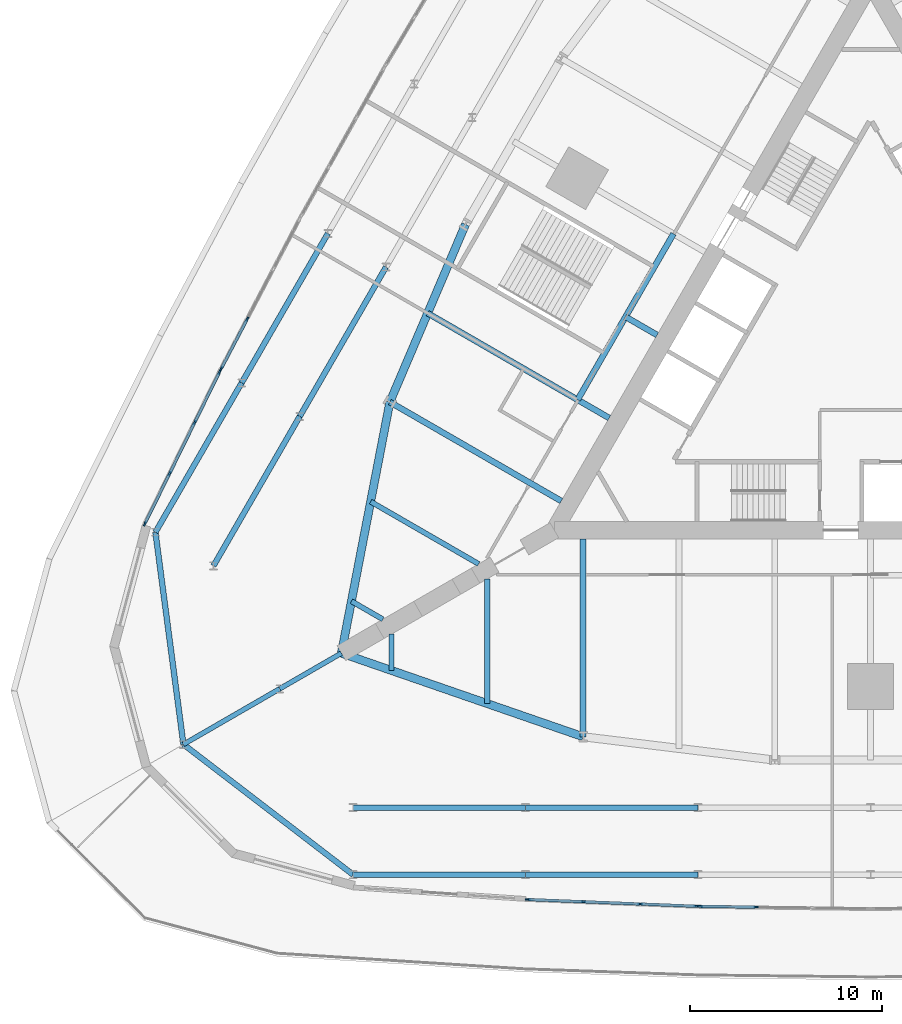
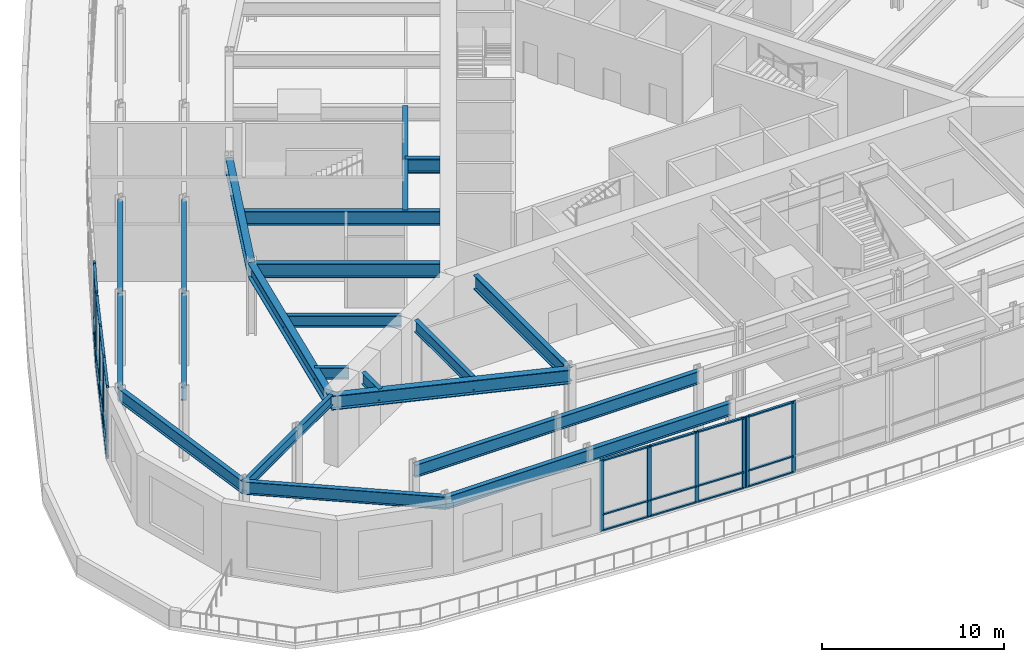
# One storey, part 3 of 20: 36 members, 24 beams, 4 elements without a shape of their own.
"""IFC4 building model written with IfcOpenShell, lengths in metres."""

from ifc_helpers import new_model, si_unit, direction, frame, origin, origin_2d, place, context, subcontext, project, spatial, rectangle, i_section, extrude, material, material_profile, profile_set, type_object, element, aggregate, save


model = new_model("IFC4")

# Units and contexts
model_context = context("Model", 3, precision=1e-05, world=origin(), true_north=direction((0.0, 1.0)))
body_context = subcontext(model_context, "Body", "Model", "MODEL_VIEW")
ifc_project = project(units=[si_unit("LENGTHUNIT", "METRE"), si_unit("AREAUNIT", "SQUARE_METRE"), si_unit("VOLUMEUNIT", "CUBIC_METRE"), si_unit("PLANEANGLEUNIT", "RADIAN"), si_unit("MASSUNIT", "GRAM", prefix="KILO")], contexts=[model_context])

# Site, building, storey
site_placement = place(None, origin())
site = spatial("IfcSite", under=ifc_project, at=site_placement, CompositionType="ELEMENT")
building_placement = place(site_placement, origin())
building = spatial("IfcBuilding", under=site, at=building_placement, Name="Trikona Tower", CompositionType="ELEMENT")
storey_placement = place(building_placement, frame((0.0, 0.0, 6.0)))
storey = spatial("IfcBuildingStorey", under=building, at=storey_placement, Name="L01", CompositionType="ELEMENT", Elevation=6.0)

# Curtain wall, members
ifc_material_1 = material(Name="Aluminium curtain wall system", Category="aluminium")
curtain_wall_type = type_object("IfcCurtainWallType", Name="Curtain wall PD", PredefinedType="NOTDEFINED", material=ifc_material_1)
curtain_wall_1_placement = place(storey_placement, origin())
curtain_wall_1 = element("IfcCurtainWall", 1, at=curtain_wall_1_placement, inside=storey, type_object=curtain_wall_type, Name="Curtain wall PD L01", PredefinedType="NOTDEFINED")
ifc_material_2 = material(Name="Aluminium mullion, pale anodised", Category="aluminium")
ifc_material_profile_1 = material_profile(ifc_material_2, rectangle(XDim=0.090087890625, YDim=0.25, at=origin_2d()), Name="MUL-PD")
ifc_profile_set_1 = profile_set([ifc_material_profile_1], Name="Aluminium mullion, pale anodised")
member_type_1 = type_object("IfcMemberType", Name="Mullion PD 90x250", PredefinedType="MULLION", material=ifc_profile_set_1)
member_1_placement = place(storey_placement, frame((-17.89111328125, -28.79443359375, 0.0), z_axis=(0.0, 0.0, 1.0), x_axis=(0.039967588978, 0.999200976697, 0.0)))
member_1 = element("IfcMember", 2, at=member_1_placement, type_object=member_type_1, Name="CW-PD mullion 1", PredefinedType="MULLION", context=body_context, shape_type="SweptSolid", body=[
    extrude(rectangle(XDim=0.090087890625, YDim=0.25, at=origin_2d()), origin(), (0.0, 0.0, 1.0), 4.75),
])
member_2_placement = place(storey_placement, frame((-14.97607421875, -28.9111328125, 0.0), z_axis=(0.0, 0.0, 1.0), x_axis=(0.039967588978, 0.999200976697, 0.0)))
member_2 = element("IfcMember", 3, at=member_2_placement, type_object=member_type_1, Name="CW-PD mullion 2", PredefinedType="MULLION", context=body_context, shape_type="SweptSolid", body=[
    extrude(rectangle(XDim=0.090087890625, YDim=0.25, at=origin_2d()), origin(), (0.0, 0.0, 1.0), 4.75),
])
member_3_placement = place(storey_placement, frame((-12.01611328125, -29.029541015625, 0.0), z_axis=(0.0, 0.0, 1.0), x_axis=(0.039967588978, 0.999200976697, 0.0)))
member_3 = element("IfcMember", 4, at=member_3_placement, type_object=member_type_1, Name="CW-PD mullion 3", PredefinedType="MULLION", context=body_context, shape_type="SweptSolid", body=[
    extrude(rectangle(XDim=0.090087890625, YDim=0.25, at=origin_2d()), origin(), (0.0, 0.0, 1.0), 4.75),
])
member_4_placement = place(storey_placement, frame((-9.10107421875, -29.14599609375, 0.0), z_axis=(0.0, 0.0, 1.0), x_axis=(0.039967588978, 0.999200976697, 0.0)))
member_4 = element("IfcMember", 5, at=member_4_placement, type_object=member_type_1, Name="CW-PD mullion 4", PredefinedType="MULLION", context=body_context, shape_type="SweptSolid", body=[
    extrude(rectangle(XDim=0.090087890625, YDim=0.25, at=origin_2d()), origin(), (0.0, 0.0, 1.0), 4.75),
])

curtain_wall_2_placement = place(storey_placement, origin())
curtain_wall_2 = element("IfcCurtainWall", 6, at=curtain_wall_2_placement, inside=storey, type_object=curtain_wall_type, Name="Curtain wall PD L01", PredefinedType="NOTDEFINED")
member_5_placement = place(storey_placement, frame((-8.893798828125, -29.151611328125, 0.0), z_axis=(0.0, 0.0, 1.0), x_axis=(0.013332148307, 0.999911122961, 0.0)))
member_5 = element("IfcMember", 7, at=member_5_placement, type_object=member_type_1, Name="CW-PD mullion 1", PredefinedType="MULLION", context=body_context, shape_type="SweptSolid", body=[
    extrude(rectangle(XDim=0.090087890625, YDim=0.25, at=origin_2d()), origin(), (0.0, 0.0, 1.0), 4.75),
])
member_6_placement = place(storey_placement, frame((-5.978759765625, -29.1904296875, 0.0), z_axis=(0.0, 0.0, 1.0), x_axis=(0.013332148307, 0.999911122961, 0.0)))
member_6 = element("IfcMember", 8, at=member_6_placement, type_object=member_type_1, Name="CW-PD mullion 2", PredefinedType="MULLION", context=body_context, shape_type="SweptSolid", body=[
    extrude(rectangle(XDim=0.090087890625, YDim=0.25, at=origin_2d()), origin(), (0.0, 0.0, 1.0), 4.75),
])

curtain_wall_3_placement = place(storey_placement, origin())
curtain_wall_3 = element("IfcCurtainWall", 9, at=curtain_wall_3_placement, inside=storey, type_object=curtain_wall_type, Name="Curtain wall PD L01", PredefinedType="NOTDEFINED")
member_7_placement = place(storey_placement, frame((-32.525634765625, 1.48583984375, 0.0), z_axis=(0.0, 0.0, 1.0), x_axis=(0.88532159647, -0.464979215476, 0.0)))
member_7 = element("IfcMember", 10, at=member_7_placement, type_object=member_type_1, Name="CW-PD mullion 3", PredefinedType="MULLION", context=body_context, shape_type="SweptSolid", body=[
    extrude(rectangle(XDim=0.090087890625, YDim=0.25, at=origin_2d()), origin(), (0.0, 0.0, 1.0), 4.75),
])
member_8_placement = place(storey_placement, frame((-33.88232421875, -1.096923828125, 0.0), z_axis=(0.0, 0.0, 1.0), x_axis=(0.88532159647, -0.464979215476, 0.0)))
member_8 = element("IfcMember", 11, at=member_8_placement, type_object=member_type_1, Name="CW-PD mullion 4", PredefinedType="MULLION", context=body_context, shape_type="SweptSolid", body=[
    extrude(rectangle(XDim=0.090087890625, YDim=0.25, at=origin_2d()), origin(), (0.0, 0.0, 1.0), 4.75),
])

curtain_wall_4_placement = place(storey_placement, origin())
curtain_wall_4 = element("IfcCurtainWall", 12, at=curtain_wall_4_placement, inside=storey, type_object=curtain_wall_type, Name="Curtain wall PD L01", PredefinedType="NOTDEFINED")
member_9_placement = place(storey_placement, frame((-33.97607421875, -1.28173828125, 0.0), z_axis=(0.0, 0.0, 1.0), x_axis=(0.897362731155, -0.44129369895, 0.0)))
member_9 = element("IfcMember", 13, at=member_9_placement, type_object=member_type_1, Name="CW-PD mullion 1", PredefinedType="MULLION", context=body_context, shape_type="SweptSolid", body=[
    extrude(rectangle(XDim=0.090087890625, YDim=0.25, at=origin_2d()), origin(), (0.0, 0.0, 1.0), 4.75),
])
member_10_placement = place(storey_placement, frame((-35.265380859375, -3.903564453125, 0.0), z_axis=(0.0, 0.0, 1.0), x_axis=(0.897362731155, -0.44129369895, 0.0)))
member_10 = element("IfcMember", 14, at=member_10_placement, type_object=member_type_1, Name="CW-PD mullion 2", PredefinedType="MULLION", context=body_context, shape_type="SweptSolid", body=[
    extrude(rectangle(XDim=0.090087890625, YDim=0.25, at=origin_2d()), origin(), (0.0, 0.0, 1.0), 4.75),
])
member_11_placement = place(storey_placement, frame((-36.57470703125, -6.565673828125, 0.0), z_axis=(0.0, 0.0, 1.0), x_axis=(0.897362731155, -0.44129369895, 0.0)))
member_11 = element("IfcMember", 15, at=member_11_placement, type_object=member_type_1, Name="CW-PD mullion 3", PredefinedType="MULLION", context=body_context, shape_type="SweptSolid", body=[
    extrude(rectangle(XDim=0.090087890625, YDim=0.25, at=origin_2d()), origin(), (0.0, 0.0, 1.0), 4.75),
])
member_12_placement = place(storey_placement, frame((-37.864013671875, -9.1875, 0.0), z_axis=(0.0, 0.0, 1.0), x_axis=(0.897362731155, -0.44129369895, 0.0)))
member_12 = element("IfcMember", 16, at=member_12_placement, type_object=member_type_1, Name="CW-PD mullion 4", PredefinedType="MULLION", context=body_context, shape_type="SweptSolid", body=[
    extrude(rectangle(XDim=0.090087890625, YDim=0.25, at=origin_2d()), origin(), (0.0, 0.0, 1.0), 4.75),
])

# Beams
ifc_material_3 = material(Name="Steel ASTM A992 Grade 50", Category="steel")
ifc_material_profile_2 = material_profile(ifc_material_3, i_section(OverallWidth=0.25390625, OverallDepth=0.683349609375, WebThickness=0.012451171875, FlangeThickness=0.01904296875, at=origin_2d()), Name="W27X94")
ifc_profile_set_2 = profile_set([ifc_material_profile_2], Name="Steel ASTM A992 Grade 50")
beam_type_1 = type_object("IfcBeamType", Name="Steel beam W27x94 (pod radial)", PredefinedType="BEAM", material=ifc_profile_set_2)
beam_1_placement = place(storey_placement, frame((-30.83056640625, -17.800048828125, 4.408447265625), z_axis=(-0.866032775405, -0.499987231761, 0.0), x_axis=(0.499987231761, -0.866032775405, 0.0)))
element("IfcBeam", 17, at=beam_1_placement, inside=storey, type_object=beam_type_1, Name="Podium beam L02 CB20", PredefinedType="BEAM", context=body_context, shape_type="SweptSolid", body=[
    extrude(i_section(OverallWidth=0.25390625, OverallDepth=0.683349609375, WebThickness=0.012451171875, FlangeThickness=0.01904296875, at=origin_2d()), origin(), (0.0, 0.0, 1.0), 5.800048828125),
])
beam_2_placement = place(storey_placement, frame((-27.612060546875, -15.94189453125, 4.408447265625), z_axis=(-0.866031337506, -0.499989722352, 0.0), x_axis=(0.499989722352, -0.866031337506, 0.0)))
element("IfcBeam", 18, at=beam_2_placement, inside=storey, type_object=beam_type_1, Name="Podium beam L02 RKK2D35.6", PredefinedType="BEAM", context=body_context, shape_type="SweptSolid", body=[
    extrude(i_section(OverallWidth=0.25390625, OverallDepth=0.683349609375, WebThickness=0.012451171875, FlangeThickness=0.01904296875, at=origin_2d()), origin(), (0.0, 0.0, 1.0), 3.71630859375),
])
ifc_material_4 = material(Name="Steel ASTM A992 Grade 50", Category="steel")
ifc_material_profile_3 = material_profile(ifc_material_4, i_section(OverallWidth=0.2666015625, OverallDepth=0.76953125, WebThickness=0.015625, FlangeThickness=0.025390625, at=origin_2d()), Name="W30X132")
ifc_profile_set_3 = profile_set([ifc_material_profile_3], Name="Steel ASTM A992 Grade 50")
beam_type_2 = type_object("IfcBeamType", Name="Steel beam W30x132 (wedge)", PredefinedType="BEAM", material=ifc_profile_set_3)
beam_3_placement = place(storey_placement, frame((-25.0, -14.953369140625, 4.365234375), z_axis=(0.0, -1.0, 0.0), x_axis=(1.0, 0.0, 0.0)))
element("IfcBeam", 19, at=beam_3_placement, inside=storey, type_object=beam_type_2, Name="Floor beam L02 F1 u-25", PredefinedType="BEAM", context=body_context, shape_type="SweptSolid", body=[
    extrude(i_section(OverallWidth=0.2666015625, OverallDepth=0.76953125, WebThickness=0.015625, FlangeThickness=0.025390625, at=origin_2d()), origin(), (0.0, 0.0, 1.0), 1.890380859375),
])
for number, where, z_axis, x_axis, name in (
    (20, (-20.0, -12.066650390625, 4.365234375), (0.0, -1.0, 0.0), (1.0, 0.0, 0.0), "Floor beam L02 F1 u-20"),
    (21, (-20.449951171875, -11.287109375, 4.365234375), (-0.866022504693, 0.50000502134, 0.0), (-0.50000502134, -0.866022504693, 0.0), "Floor beam L02 F3 u20"),
):
    element("IfcBeam", number, at=place(storey_placement, frame(where, z_axis=z_axis, x_axis=x_axis)), inside=storey, type_object=beam_type_2, Name=name, PredefinedType="BEAM", context=body_context, shape_type="SweptSolid", body=[
        extrude(i_section(OverallWidth=0.2666015625, OverallDepth=0.76953125, WebThickness=0.015625, FlangeThickness=0.025390625, at=origin_2d()), origin(), (0.0, 0.0, 1.0), 6.5068359375),
    ])
beam_4_placement = place(storey_placement, frame((-25.449951171875, -14.173828125, 4.365234375), z_axis=(-0.866065156741, 0.499931139538, 0.0), x_axis=(-0.499931139538, -0.866065156741, 0.0)))
element("IfcBeam", 22, at=beam_4_placement, inside=storey, type_object=beam_type_2, Name="Floor beam L02 F3 u25", PredefinedType="BEAM", context=body_context, shape_type="SweptSolid", body=[
    extrude(i_section(OverallWidth=0.2666015625, OverallDepth=0.76953125, WebThickness=0.015625, FlangeThickness=0.025390625, at=origin_2d()), origin(), (0.0, 0.0, 1.0), 1.890380859375),
])
ifc_material_5 = material(Name="Steel ASTM A992 Grade 50", Category="steel")
ifc_material_profile_4 = material_profile(ifc_material_5, i_section(OverallWidth=0.2919921875, OverallDepth=0.845703125, WebThickness=0.015380859375, FlangeThickness=0.0244140625, at=origin_2d()), Name="W33X141")
ifc_profile_set_4 = profile_set([ifc_material_profile_4], Name="Steel ASTM A992 Grade 50")
beam_type_3 = type_object("IfcBeamType", Name="Steel beam W33x141 (pod girder)", PredefinedType="BEAM", material=ifc_profile_set_4)
for number, where, z_axis, x_axis, name in (
    (23, (-27.0, -24.0, 4.3271484375), (1.0, 0.0, 0.0), (0.0, 1.0, 0.0), "Podium beam L02 GR24F0m27-R24F0m18"),
    (24, (-18.0, -24.0, 4.3271484375), (1.0, 0.0, 0.0), (0.0, 1.0, 0.0), "Podium beam L02 GR24F0m18-R24F0m9"),
    (25, (-27.0, -27.5, 4.3271484375), (1.0, 0.0, 0.0), (0.0, 1.0, 0.0), "Podium beam L02 GR27.5F0m27-R27.5F0m18"),
    (26, (-18.0, -27.5, 4.3271484375), (1.0, 0.0, 0.0), (0.0, 1.0, 0.0), "Podium beam L02 GR27.5F0m18-R27.5F0m9"),
    (27, (-25.28466796875, 4.205810546875, 4.3271484375), (-0.5000018851, -0.866024315419, 0.0), (0.866024315419, -0.5000018851, 0.0), "Podium beam L02 GR24F2p9-R24F2p18"),
):
    element("IfcBeam", number, at=place(storey_placement, frame(where, z_axis=z_axis, x_axis=x_axis)), inside=storey, type_object=beam_type_3, Name=name, PredefinedType="BEAM", context=body_context, shape_type="SweptSolid", body=[
        extrude(i_section(OverallWidth=0.2919921875, OverallDepth=0.845703125, WebThickness=0.015380859375, FlangeThickness=0.0244140625, at=origin_2d()), origin(), (0.0, 0.0, 1.0), 9.0),
    ])
beam_5_placement = place(storey_placement, frame((-29.78466796875, -3.58837890625, 4.3271484375), z_axis=(-0.499990139034, -0.866031096941, 0.0), x_axis=(0.866031096941, -0.499990139034, 0.0)))
element("IfcBeam", 28, at=beam_5_placement, inside=storey, type_object=beam_type_3, Name="Podium beam L02 GR24F2p18-R24F2p27", PredefinedType="BEAM", context=body_context, shape_type="SweptSolid", body=[
    extrude(i_section(OverallWidth=0.2919921875, OverallDepth=0.845703125, WebThickness=0.015380859375, FlangeThickness=0.0244140625, at=origin_2d()), origin(), (0.0, 0.0, 1.0), 9.000244140625),
])
beam_6_placement = place(storey_placement, frame((-28.315673828125, 5.955810546875, 4.3271484375), z_axis=(-0.5000018851, -0.866024315419, 0.0), x_axis=(0.866024315419, -0.5000018851, 0.0)))
element("IfcBeam", 29, at=beam_6_placement, inside=storey, type_object=beam_type_3, Name="Podium beam L02 GR27.5F2p9-R27.5F2p18", PredefinedType="BEAM", context=body_context, shape_type="SweptSolid", body=[
    extrude(i_section(OverallWidth=0.2919921875, OverallDepth=0.845703125, WebThickness=0.015380859375, FlangeThickness=0.0244140625, at=origin_2d()), origin(), (0.0, 0.0, 1.0), 9.0),
])
beam_7_placement = place(storey_placement, frame((-32.815673828125, -1.83837890625, 4.3271484375), z_axis=(-0.499990139034, -0.866031096941, 0.0), x_axis=(0.866031096941, -0.499990139034, 0.0)))
element("IfcBeam", 30, at=beam_7_placement, inside=storey, type_object=beam_type_3, Name="Podium beam L02 GR27.5F2p18-R27.5F2p27", PredefinedType="BEAM", context=body_context, shape_type="SweptSolid", body=[
    extrude(i_section(OverallWidth=0.2919921875, OverallDepth=0.845703125, WebThickness=0.015380859375, FlangeThickness=0.0244140625, at=origin_2d()), origin(), (0.0, 0.0, 1.0), 9.000244140625),
])
beam_8_placement = place(storey_placement, frame((-35.853515625, -20.699951171875, 4.3271484375), z_axis=(-0.130978925672, 0.991385152718, 0.0), x_axis=(-0.991385152718, -0.130978925672, 0.0)))
element("IfcBeam", 31, at=beam_8_placement, inside=storey, type_object=beam_type_3, Name="Podium beam L02 CK2D41.4-R27.5F2p27", PredefinedType="BEAM", context=body_context, shape_type="SweptSolid", body=[
    extrude(i_section(OverallWidth=0.2919921875, OverallDepth=0.845703125, WebThickness=0.015380859375, FlangeThickness=0.0244140625, at=origin_2d()), origin(), (0.0, 0.0, 1.0), 11.163330078125),
])
beam_9_placement = place(storey_placement, frame((-35.853515625, -20.699951171875, 4.3271484375), z_axis=(0.793071731927, -0.60912825252, 0.0), x_axis=(0.60912825252, 0.793071731927, 0.0)))
element("IfcBeam", 32, at=beam_9_placement, inside=storey, type_object=beam_type_3, Name="Podium beam L02 CK2D41.4-R27.5F0m27", PredefinedType="BEAM", context=body_context, shape_type="SweptSolid", body=[
    extrude(i_section(OverallWidth=0.2919921875, OverallDepth=0.845703125, WebThickness=0.015380859375, FlangeThickness=0.0244140625, at=origin_2d()), origin(), (0.0, 0.0, 1.0), 11.16357421875),
])
ifc_material_6 = material(Name="Steel ASTM A992 Grade 50", Category="steel")
ifc_material_profile_5 = material_profile(ifc_material_6, i_section(OverallWidth=0.307373046875, OverallDepth=0.9423828125, WebThickness=0.022216796875, FlangeThickness=0.039794921875, at=origin_2d()), Name="W36X232")
ifc_profile_set_5 = profile_set([ifc_material_profile_5], Name="Steel ASTM A992 Grade 50")
beam_type_4 = type_object("IfcBeamType", Name="Steel beam W36x232 (radial low)", PredefinedType="BEAM", material=ifc_profile_set_5)
beam_10_placement = place(storey_placement, frame((-15.0, -9.976318359375, 4.27880859375), z_axis=(0.0, -1.0, 0.0), x_axis=(1.0, 0.0, 0.0)))
element("IfcBeam", 33, at=beam_10_placement, inside=storey, type_object=beam_type_4, Name="Floor beam L02 F1 u-15", PredefinedType="BEAM", context=body_context, shape_type="SweptSolid", body=[
    extrude(i_section(OverallWidth=0.307373046875, OverallDepth=0.9423828125, WebThickness=0.022216796875, FlangeThickness=0.039794921875, at=origin_2d()), origin(), (0.0, 0.0, 1.0), 10.32666015625),
])
beam_11_placement = place(storey_placement, frame((-11.1396484375, 0.657958984375, 4.27880859375), z_axis=(-0.866044365799, 0.499967155389, 0.0), x_axis=(-0.499967155389, -0.866044365799, 0.0)))
element("IfcBeam", 34, at=beam_11_placement, inside=storey, type_object=beam_type_4, Name="Floor beam L02 F3 u5", PredefinedType="BEAM", context=body_context, shape_type="SweptSolid", body=[
    extrude(i_section(OverallWidth=0.307373046875, OverallDepth=0.9423828125, WebThickness=0.022216796875, FlangeThickness=0.039794921875, at=origin_2d()), origin(), (0.0, 0.0, 1.0), 1.900146484375),
])
beam_12_placement = place(storey_placement, frame((-13.6396484375, -3.672119140625, 4.27880859375), z_axis=(-0.866025348605, 0.500000095573, 0.0), x_axis=(-0.500000095573, -0.866025348605, 0.0)))
element("IfcBeam", 35, at=beam_12_placement, inside=storey, type_object=beam_type_4, Name="Floor beam L02 F3 u10", PredefinedType="BEAM", context=body_context, shape_type="SweptSolid", body=[
    extrude(i_section(OverallWidth=0.307373046875, OverallDepth=0.9423828125, WebThickness=0.022216796875, FlangeThickness=0.039794921875, at=origin_2d()), origin(), (0.0, 0.0, 1.0), 10.935546875),
])
beam_13_placement = place(storey_placement, frame((-16.1396484375, -8.002197265625, 4.27880859375), z_axis=(-0.866030471684, 0.499991222037, 0.0), x_axis=(-0.499991222037, -0.866030471684, 0.0)))
element("IfcBeam", 36, at=beam_13_placement, inside=storey, type_object=beam_type_4, Name="Floor beam L02 F3 u15", PredefinedType="BEAM", context=body_context, shape_type="SweptSolid", body=[
    extrude(i_section(OverallWidth=0.307373046875, OverallDepth=0.9423828125, WebThickness=0.022216796875, FlangeThickness=0.039794921875, at=origin_2d()), origin(), (0.0, 0.0, 1.0), 10.326904296875),
])
beam_14_placement = place(storey_placement, frame((-10.28515625, 5.93798828125, 4.27880859375), z_axis=(-0.500004234368, -0.866022959057, 0.0), x_axis=(0.866022959057, -0.500004234368, 0.0)))
element("IfcBeam", 37, at=beam_14_placement, inside=storey, type_object=beam_type_4, Name="Trimmer beam L02 F3 podium stair", PredefinedType="BEAM", context=body_context, shape_type="SweptSolid", body=[
    extrude(i_section(OverallWidth=0.307373046875, OverallDepth=0.9423828125, WebThickness=0.022216796875, FlangeThickness=0.039794921875, at=origin_2d()), origin(), (0.0, 0.0, 1.0), 10.0),
])
ifc_material_7 = material(Name="Steel ASTM A992 Grade 50", Category="steel")
ifc_material_profile_6 = material_profile(ifc_material_7, i_section(OverallWidth=0.424072265625, OverallDepth=0.947509765625, WebThickness=0.02392578125, FlangeThickness=0.042724609375, at=origin_2d()), Name="W36X302")
ifc_profile_set_6 = profile_set([ifc_material_profile_6], Name="Steel ASTM A992 Grade 50")
beam_type_5 = type_object("IfcBeamType", Name="Steel beam W36x302 (pod tower spandrel)", PredefinedType="BEAM", material=ifc_profile_set_6)
beam_15_placement = place(storey_placement, frame((-27.6103515625, -15.94091796875, 4.2763671875), z_axis=(0.945056965739, -0.326905692071, 0.0), x_axis=(0.326905692071, 0.945056965739, 0.0)))
element("IfcBeam", 38, at=beam_15_placement, inside=storey, type_object=beam_type_5, Name="Spandrel beam L02 F1-1", PredefinedType="BEAM", context=body_context, shape_type="SweptSolid", body=[
    extrude(i_section(OverallWidth=0.424072265625, OverallDepth=0.947509765625, WebThickness=0.02392578125, FlangeThickness=0.042724609375, at=origin_2d()), origin(), (0.0, 0.0, 1.0), 13.343505859375),
])
beam_16_placement = place(storey_placement, frame((-21.13720703125, 6.43017578125, 4.2763671875), z_axis=(-0.391683514847, -0.920100007715, 0.0), x_axis=(0.920100007715, -0.391683514847, 0.0)))
element("IfcBeam", 39, at=beam_16_placement, inside=storey, type_object=beam_type_5, Name="Spandrel beam L02 F3-4", PredefinedType="BEAM", context=body_context, shape_type="SweptSolid", body=[
    extrude(i_section(OverallWidth=0.424072265625, OverallDepth=0.947509765625, WebThickness=0.02392578125, FlangeThickness=0.042724609375, at=origin_2d()), origin(), (0.0, 0.0, 1.0), 10.073974609375),
])
beam_17_placement = place(storey_placement, frame((-25.0830078125, -2.8388671875, 4.2763671875), z_axis=(-0.189405184036, -0.981899015307, 0.0), x_axis=(0.981899015307, -0.189405184036, 0.0)))
element("IfcBeam", 40, at=beam_17_placement, inside=storey, type_object=beam_type_5, Name="Spandrel beam L02 F3-5", PredefinedType="BEAM", context=body_context, shape_type="SweptSolid", body=[
    extrude(i_section(OverallWidth=0.424072265625, OverallDepth=0.947509765625, WebThickness=0.02392578125, FlangeThickness=0.042724609375, at=origin_2d()), origin(), (0.0, 0.0, 1.0), 13.343505859375),
])

# Member
ifc_material_8 = material(Name="Aluminium transom, pale anodised", Category="aluminium")
ifc_material_profile_7 = material_profile(ifc_material_8, rectangle(XDim=0.14990234375, YDim=0.090087890625, at=origin_2d()), Name="TRN-PD")
ifc_profile_set_7 = profile_set([ifc_material_profile_7], Name="Aluminium transom, pale anodised")
member_type_2 = type_object("IfcMemberType", Name="Transom PD 90x150", PredefinedType="USERDEFINED", material=ifc_profile_set_7)
member_13_placement = place(storey_placement, frame((-17.84619140625, -28.79638671875, 0.044921875), z_axis=(0.99920399039, -0.039892174521, 0.0), x_axis=(0.039892174521, 0.99920399039, 0.0)))
member_13 = element("IfcMember", 41, at=member_13_placement, type_object=member_type_2, Name="CW-PD transom 1.1", ObjectType="TRANSOM", PredefinedType="USERDEFINED", context=body_context, shape_type="SweptSolid", body=[
    extrude(rectangle(XDim=0.14990234375, YDim=0.090087890625, at=origin_2d()), origin(), (0.0, 0.0, 1.0), 2.827392578125),
])

member_14_placement = place(storey_placement, frame((-17.84619140625, -28.79638671875, 1.10009765625), z_axis=(0.99920399039, -0.039892174521, 0.0), x_axis=(0.039892174521, 0.99920399039, 0.0)))
member_14 = element("IfcMember", 42, at=member_14_placement, type_object=member_type_2, Name="CW-PD transom 1.2", ObjectType="TRANSOM", PredefinedType="USERDEFINED", context=body_context, shape_type="SweptSolid", body=[
    extrude(rectangle(XDim=0.14990234375, YDim=0.090087890625, at=origin_2d()), origin(), (0.0, 0.0, 1.0), 2.827392578125),
])

member_15_placement = place(storey_placement, frame((-17.84619140625, -28.79638671875, 4.705078125), z_axis=(0.99920399039, -0.039892174521, 0.0), x_axis=(0.039892174521, 0.99920399039, 0.0)))
member_15 = element("IfcMember", 43, at=member_15_placement, type_object=member_type_2, Name="CW-PD transom 1.3", ObjectType="TRANSOM", PredefinedType="USERDEFINED", context=body_context, shape_type="SweptSolid", body=[
    extrude(rectangle(XDim=0.14990234375, YDim=0.090087890625, at=origin_2d()), origin(), (0.0, 0.0, 1.0), 2.827392578125),
])

member_16_placement = place(storey_placement, frame((-14.93115234375, -28.912841796875, 0.044921875), z_axis=(0.999201773163, -0.039947672115, 0.0), x_axis=(0.039947672115, 0.999201773163, 0.0)))
member_16 = element("IfcMember", 44, at=member_16_placement, type_object=member_type_2, Name="CW-PD transom 2.1", ObjectType="TRANSOM", PredefinedType="USERDEFINED", context=body_context, shape_type="SweptSolid", body=[
    extrude(rectangle(XDim=0.14990234375, YDim=0.090087890625, at=origin_2d()), origin(), (0.0, 0.0, 1.0), 2.872314453125),
])

member_17_placement = place(storey_placement, frame((-14.93115234375, -28.912841796875, 1.10009765625), z_axis=(0.999201773163, -0.039947672115, 0.0), x_axis=(0.039947672115, 0.999201773163, 0.0)))
member_17 = element("IfcMember", 45, at=member_17_placement, type_object=member_type_2, Name="CW-PD transom 2.2", ObjectType="TRANSOM", PredefinedType="USERDEFINED", context=body_context, shape_type="SweptSolid", body=[
    extrude(rectangle(XDim=0.14990234375, YDim=0.090087890625, at=origin_2d()), origin(), (0.0, 0.0, 1.0), 2.872314453125),
])

member_18_placement = place(storey_placement, frame((-14.93115234375, -28.912841796875, 4.705078125), z_axis=(0.999201773163, -0.039947672115, 0.0), x_axis=(0.039947672115, 0.999201773163, 0.0)))
member_18 = element("IfcMember", 46, at=member_18_placement, type_object=member_type_2, Name="CW-PD transom 2.3", ObjectType="TRANSOM", PredefinedType="USERDEFINED", context=body_context, shape_type="SweptSolid", body=[
    extrude(rectangle(XDim=0.14990234375, YDim=0.090087890625, at=origin_2d()), origin(), (0.0, 0.0, 1.0), 2.872314453125),
])

member_19_placement = place(storey_placement, frame((-11.970947265625, -29.03125, 0.044921875), z_axis=(0.999200406845, -0.03998183289, 0.0), x_axis=(0.03998183289, 0.999200406845, 0.0)))
member_19 = element("IfcMember", 47, at=member_19_placement, type_object=member_type_2, Name="CW-PD transom 3.1", ObjectType="TRANSOM", PredefinedType="USERDEFINED", context=body_context, shape_type="SweptSolid", body=[
    extrude(rectangle(XDim=0.14990234375, YDim=0.090087890625, at=origin_2d()), origin(), (0.0, 0.0, 1.0), 2.8271484375),
])

member_20_placement = place(storey_placement, frame((-11.970947265625, -29.03125, 1.10009765625), z_axis=(0.999200406845, -0.03998183289, 0.0), x_axis=(0.03998183289, 0.999200406845, 0.0)))
member_20 = element("IfcMember", 48, at=member_20_placement, type_object=member_type_2, Name="CW-PD transom 3.2", ObjectType="TRANSOM", PredefinedType="USERDEFINED", context=body_context, shape_type="SweptSolid", body=[
    extrude(rectangle(XDim=0.14990234375, YDim=0.090087890625, at=origin_2d()), origin(), (0.0, 0.0, 1.0), 2.8271484375),
])

member_21_placement = place(storey_placement, frame((-11.970947265625, -29.03125, 4.705078125), z_axis=(0.999200406845, -0.03998183289, 0.0), x_axis=(0.03998183289, 0.999200406845, 0.0)))
member_21 = element("IfcMember", 49, at=member_21_placement, type_object=member_type_2, Name="CW-PD transom 3.3", ObjectType="TRANSOM", PredefinedType="USERDEFINED", context=body_context, shape_type="SweptSolid", body=[
    extrude(rectangle(XDim=0.14990234375, YDim=0.090087890625, at=origin_2d()), origin(), (0.0, 0.0, 1.0), 2.8271484375),
])

aggregate(curtain_wall_1, [member_1, member_2, member_3, member_4, member_13, member_14, member_15, member_16, member_17, member_18, member_19, member_20, member_21])

member_22_placement = place(storey_placement, frame((-8.8486328125, -29.152099609375, 0.044921875), z_axis=(0.999910291588, -0.013394356166, 0.0), x_axis=(0.013394356166, 0.999910291588, 0.0)))
member_22 = element("IfcMember", 50, at=member_22_placement, type_object=member_type_2, Name="CW-PD transom 1.1", ObjectType="TRANSOM", PredefinedType="USERDEFINED", context=body_context, shape_type="SweptSolid", body=[
    extrude(rectangle(XDim=0.14990234375, YDim=0.090087890625, at=origin_2d()), origin(), (0.0, 0.0, 1.0), 2.8251953125),
])

member_23_placement = place(storey_placement, frame((-8.8486328125, -29.152099609375, 1.10009765625), z_axis=(0.999910291588, -0.013394356166, 0.0), x_axis=(0.013394356166, 0.999910291588, 0.0)))
member_23 = element("IfcMember", 51, at=member_23_placement, type_object=member_type_2, Name="CW-PD transom 1.2", ObjectType="TRANSOM", PredefinedType="USERDEFINED", context=body_context, shape_type="SweptSolid", body=[
    extrude(rectangle(XDim=0.14990234375, YDim=0.090087890625, at=origin_2d()), origin(), (0.0, 0.0, 1.0), 2.8251953125),
])

member_24_placement = place(storey_placement, frame((-8.8486328125, -29.152099609375, 4.705078125), z_axis=(0.999910291588, -0.013394356166, 0.0), x_axis=(0.013394356166, 0.999910291588, 0.0)))
member_24 = element("IfcMember", 52, at=member_24_placement, type_object=member_type_2, Name="CW-PD transom 1.3", ObjectType="TRANSOM", PredefinedType="USERDEFINED", context=body_context, shape_type="SweptSolid", body=[
    extrude(rectangle(XDim=0.14990234375, YDim=0.090087890625, at=origin_2d()), origin(), (0.0, 0.0, 1.0), 2.8251953125),
])

aggregate(curtain_wall_2, [member_5, member_6, member_22, member_23, member_24])

member_25_placement = place(storey_placement, frame((-32.546630859375, 1.446044921875, 0.044921875), z_axis=(-0.464981119017, -0.885320596709, 0.0), x_axis=(0.885320596709, -0.464981119017, 0.0)))
member_25 = element("IfcMember", 53, at=member_25_placement, type_object=member_type_2, Name="CW-PD transom 3.1", ObjectType="TRANSOM", PredefinedType="USERDEFINED", context=body_context, shape_type="SweptSolid", body=[
    extrude(rectangle(XDim=0.14990234375, YDim=0.090087890625, at=origin_2d()), origin(), (0.0, 0.0, 1.0), 2.827392578125),
])

member_26_placement = place(storey_placement, frame((-32.546630859375, 1.446044921875, 1.10009765625), z_axis=(-0.464981119017, -0.885320596709, 0.0), x_axis=(0.885320596709, -0.464981119017, 0.0)))
member_26 = element("IfcMember", 54, at=member_26_placement, type_object=member_type_2, Name="CW-PD transom 3.2", ObjectType="TRANSOM", PredefinedType="USERDEFINED", context=body_context, shape_type="SweptSolid", body=[
    extrude(rectangle(XDim=0.14990234375, YDim=0.090087890625, at=origin_2d()), origin(), (0.0, 0.0, 1.0), 2.827392578125),
])

member_27_placement = place(storey_placement, frame((-32.546630859375, 1.446044921875, 4.705078125), z_axis=(-0.464981119017, -0.885320596709, 0.0), x_axis=(0.885320596709, -0.464981119017, 0.0)))
member_27 = element("IfcMember", 55, at=member_27_placement, type_object=member_type_2, Name="CW-PD transom 3.3", ObjectType="TRANSOM", PredefinedType="USERDEFINED", context=body_context, shape_type="SweptSolid", body=[
    extrude(rectangle(XDim=0.14990234375, YDim=0.090087890625, at=origin_2d()), origin(), (0.0, 0.0, 1.0), 2.827392578125),
])

aggregate(curtain_wall_3, [member_7, member_8, member_25, member_26, member_27])

member_28_placement = place(storey_placement, frame((-33.99609375, -1.322265625, 0.044921875), z_axis=(-0.441271852509, -0.897373474192, 0.0), x_axis=(0.897373474192, -0.441271852509, 0.0)))
member_28 = element("IfcMember", 56, at=member_28_placement, type_object=member_type_2, Name="CW-PD transom 1.1", ObjectType="TRANSOM", PredefinedType="USERDEFINED", context=body_context, shape_type="SweptSolid", body=[
    extrude(rectangle(XDim=0.14990234375, YDim=0.090087890625, at=origin_2d()), origin(), (0.0, 0.0, 1.0), 2.83154296875),
])

member_29_placement = place(storey_placement, frame((-33.99609375, -1.322265625, 1.10009765625), z_axis=(-0.441271852509, -0.897373474192, 0.0), x_axis=(0.897373474192, -0.441271852509, 0.0)))
member_29 = element("IfcMember", 57, at=member_29_placement, type_object=member_type_2, Name="CW-PD transom 1.2", ObjectType="TRANSOM", PredefinedType="USERDEFINED", context=body_context, shape_type="SweptSolid", body=[
    extrude(rectangle(XDim=0.14990234375, YDim=0.090087890625, at=origin_2d()), origin(), (0.0, 0.0, 1.0), 2.83154296875),
])

member_30_placement = place(storey_placement, frame((-33.99609375, -1.322265625, 4.705078125), z_axis=(-0.441271852509, -0.897373474192, 0.0), x_axis=(0.897373474192, -0.441271852509, 0.0)))
member_30 = element("IfcMember", 58, at=member_30_placement, type_object=member_type_2, Name="CW-PD transom 1.3", ObjectType="TRANSOM", PredefinedType="USERDEFINED", context=body_context, shape_type="SweptSolid", body=[
    extrude(rectangle(XDim=0.14990234375, YDim=0.090087890625, at=origin_2d()), origin(), (0.0, 0.0, 1.0), 2.83154296875),
])

member_31_placement = place(storey_placement, frame((-35.285400390625, -3.94384765625, 0.044921875), z_axis=(-0.441228908145, -0.897394590254, 0.0), x_axis=(0.897394590254, -0.441228908145, 0.0)))
member_31 = element("IfcMember", 59, at=member_31_placement, type_object=member_type_2, Name="CW-PD transom 2.1", ObjectType="TRANSOM", PredefinedType="USERDEFINED", context=body_context, shape_type="SweptSolid", body=[
    extrude(rectangle(XDim=0.14990234375, YDim=0.090087890625, at=origin_2d()), origin(), (0.0, 0.0, 1.0), 2.876708984375),
])

member_32_placement = place(storey_placement, frame((-35.285400390625, -3.94384765625, 1.10009765625), z_axis=(-0.441228908145, -0.897394590254, 0.0), x_axis=(0.897394590254, -0.441228908145, 0.0)))
member_32 = element("IfcMember", 60, at=member_32_placement, type_object=member_type_2, Name="CW-PD transom 2.2", ObjectType="TRANSOM", PredefinedType="USERDEFINED", context=body_context, shape_type="SweptSolid", body=[
    extrude(rectangle(XDim=0.14990234375, YDim=0.090087890625, at=origin_2d()), origin(), (0.0, 0.0, 1.0), 2.876708984375),
])

member_33_placement = place(storey_placement, frame((-35.285400390625, -3.94384765625, 4.705078125), z_axis=(-0.441228908145, -0.897394590254, 0.0), x_axis=(0.897394590254, -0.441228908145, 0.0)))
member_33 = element("IfcMember", 61, at=member_33_placement, type_object=member_type_2, Name="CW-PD transom 2.3", ObjectType="TRANSOM", PredefinedType="USERDEFINED", context=body_context, shape_type="SweptSolid", body=[
    extrude(rectangle(XDim=0.14990234375, YDim=0.090087890625, at=origin_2d()), origin(), (0.0, 0.0, 1.0), 2.876708984375),
])

member_34_placement = place(storey_placement, frame((-36.594482421875, -6.606201171875, 0.044921875), z_axis=(-0.441271852509, -0.897373474192, 0.0), x_axis=(0.897373474192, -0.441271852509, 0.0)))
member_34 = element("IfcMember", 62, at=member_34_placement, type_object=member_type_2, Name="CW-PD transom 3.1", ObjectType="TRANSOM", PredefinedType="USERDEFINED", context=body_context, shape_type="SweptSolid", body=[
    extrude(rectangle(XDim=0.14990234375, YDim=0.090087890625, at=origin_2d()), origin(), (0.0, 0.0, 1.0), 2.83154296875),
])

member_35_placement = place(storey_placement, frame((-36.594482421875, -6.606201171875, 1.10009765625), z_axis=(-0.441271852509, -0.897373474192, 0.0), x_axis=(0.897373474192, -0.441271852509, 0.0)))
member_35 = element("IfcMember", 63, at=member_35_placement, type_object=member_type_2, Name="CW-PD transom 3.2", ObjectType="TRANSOM", PredefinedType="USERDEFINED", context=body_context, shape_type="SweptSolid", body=[
    extrude(rectangle(XDim=0.14990234375, YDim=0.090087890625, at=origin_2d()), origin(), (0.0, 0.0, 1.0), 2.83154296875),
])

member_36_placement = place(storey_placement, frame((-36.594482421875, -6.606201171875, 4.705078125), z_axis=(-0.441271852509, -0.897373474192, 0.0), x_axis=(0.897373474192, -0.441271852509, 0.0)))
member_36 = element("IfcMember", 64, at=member_36_placement, type_object=member_type_2, Name="CW-PD transom 3.3", ObjectType="TRANSOM", PredefinedType="USERDEFINED", context=body_context, shape_type="SweptSolid", body=[
    extrude(rectangle(XDim=0.14990234375, YDim=0.090087890625, at=origin_2d()), origin(), (0.0, 0.0, 1.0), 2.83154296875),
])

aggregate(curtain_wall_4, [member_9, member_10, member_11, member_12, member_28, member_29, member_30, member_31, member_32, member_33, member_34, member_35, member_36])

save(model, "model.ifc")
